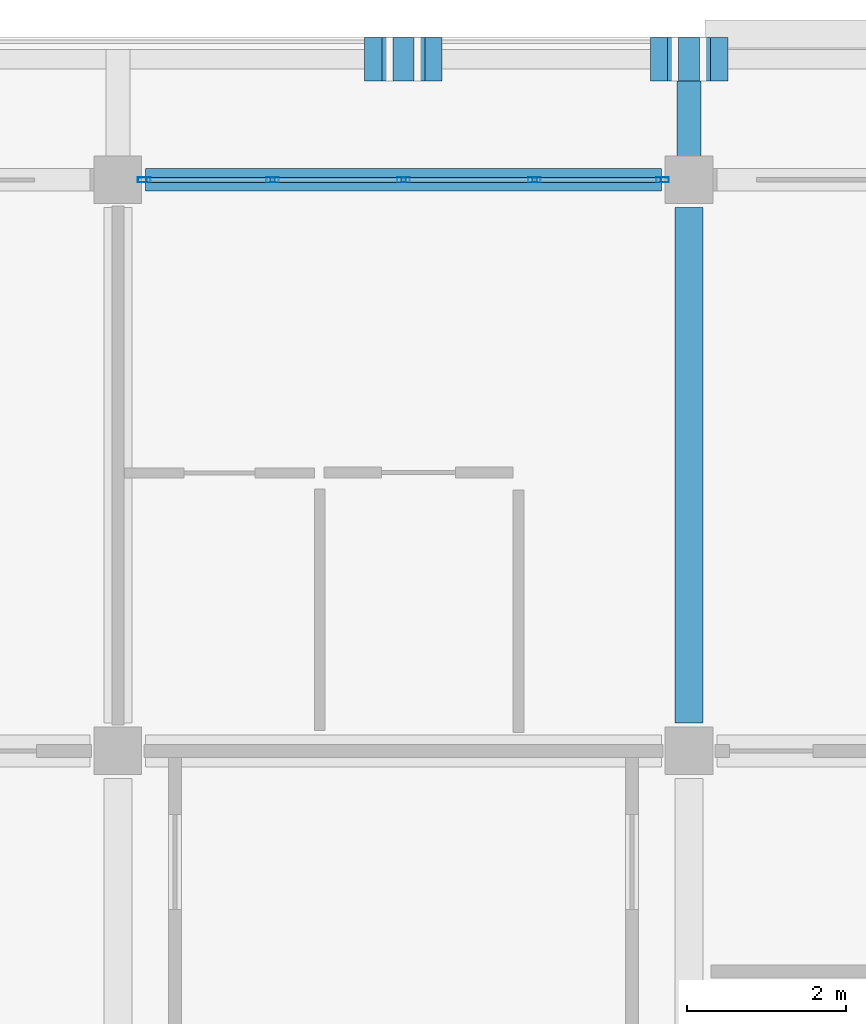
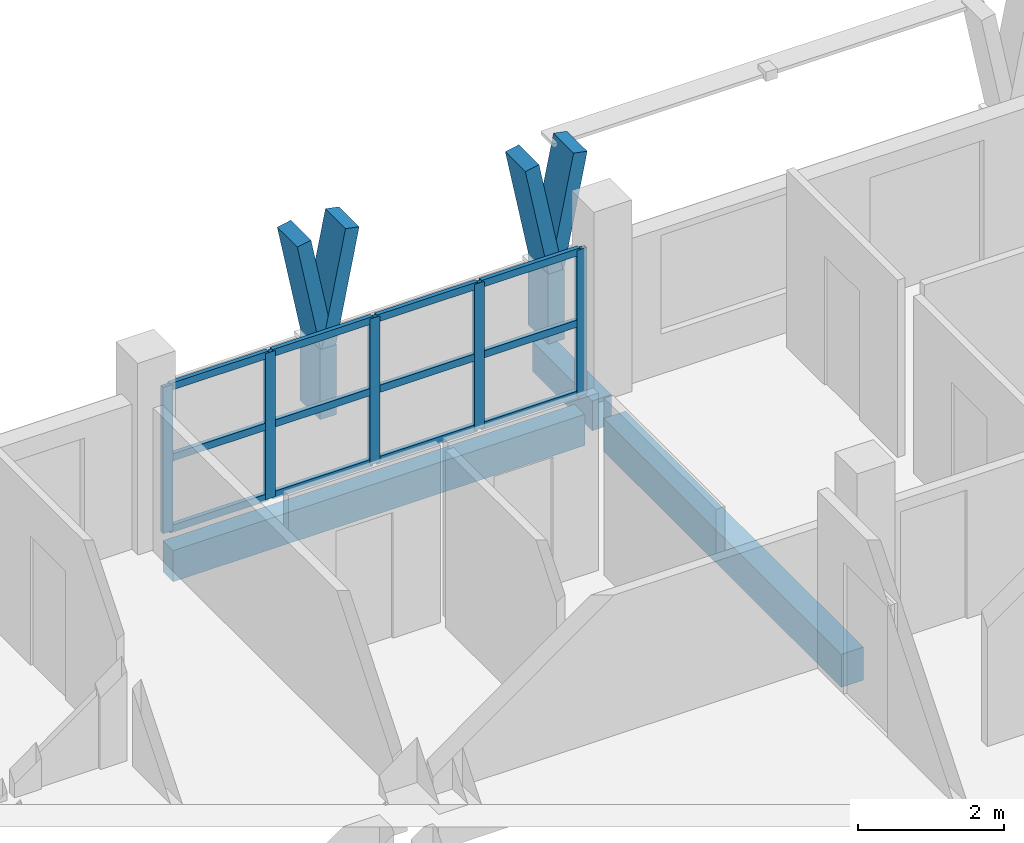
# One storey, part 89 of 157: 23 members, 3 beams, 1 element without a shape of its own.
"""IFC4 building model written with IfcOpenShell, lengths in metres."""

from ifc_helpers import new_model, si_unit, direction, frame, origin, origin_2d, place, context, subcontext, project, spatial, rectangle, hollow_rectangle, extrude, material, material_profile, profile_set, type_object, element, aggregate, save


model = new_model("IFC4")

# Units and contexts
model_context = context("Model", 3, precision=1e-05, world=origin(), true_north=direction((0.0, 1.0)))
body_context = subcontext(model_context, "Body", "Model", "MODEL_VIEW")
ifc_project = project(units=[si_unit("LENGTHUNIT", "METRE"), si_unit("AREAUNIT", "SQUARE_METRE"), si_unit("VOLUMEUNIT", "CUBIC_METRE"), si_unit("PLANEANGLEUNIT", "RADIAN"), si_unit("MASSUNIT", "GRAM", prefix="KILO")], contexts=[model_context])

# Site, building, storey
site_placement = place(None, origin())
site = spatial("IfcSite", under=ifc_project, at=site_placement, CompositionType="ELEMENT")
building_placement = place(site_placement, origin())
building = spatial("IfcBuilding", under=site, at=building_placement, Name="Suanplinth Sawtooth Commons", CompositionType="ELEMENT")
storey_placement = place(building_placement, frame((0.0, 0.0, 9.0)))
storey = spatial("IfcBuildingStorey", under=building, at=storey_placement, Name="L02", CompositionType="ELEMENT", Elevation=9.0)

# Beams
ifc_material_1 = material(Name="Precast concrete C40/50", Category="concrete")
ifc_material_profile_1 = material_profile(ifc_material_1, rectangle(XDim=0.35009765625, YDim=0.550048828125, at=origin_2d()), Name="PC-BM 350x550")
ifc_profile_set_1 = profile_set([ifc_material_profile_1], Name="Precast concrete C40/50")
beam_type_1 = type_object("IfcBeamType", Name="B-06", PredefinedType="BEAM", material=ifc_profile_set_1)
beam_1_placement = place(storey_placement, frame((151.199951171875, 115.550048828125, -0.52490234375), z_axis=(0.0, 1.0, 0.0), x_axis=(-1.0, 0.0, 0.0)))
element("IfcBeam", 1, at=beam_1_placement, inside=storey, type_object=beam_type_1, Name="BMY-L02-B-21-16", PredefinedType="BEAM", context=body_context, shape_type="SweptSolid", body=[
    extrude(rectangle(XDim=0.35009765625, YDim=0.550048828125, at=origin_2d()), origin(), (0.0, 0.0, 1.0), 6.5),
])
ifc_material_profile_2 = material_profile(ifc_material_1, rectangle(XDim=0.300048828125, YDim=0.5, at=origin_2d()), Name="PC-BM 300x500")
ifc_profile_set_2 = profile_set([ifc_material_profile_2], Name="Precast concrete C40/50")
beam_type_2 = type_object("IfcBeamType", Name="B-07", PredefinedType="BEAM", material=ifc_profile_set_2)
beam_2_placement = place(storey_placement, frame((151.199951171875, 122.39990234375, -0.429931640625), z_axis=(0.0, 1.0, 0.0), x_axis=(-1.0, 0.0, 0.0)))
element("IfcBeam", 2, at=beam_2_placement, inside=storey, type_object=beam_type_2, Name="Balcony Outrigger L02-B-N-21", PredefinedType="BEAM", context=body_context, shape_type="SweptSolid", body=[
    extrude(rectangle(XDim=0.300048828125, YDim=0.5, at=origin_2d()), origin(), (0.0, 0.0, 1.0), 1.64013671875),
])
ifc_material_profile_3 = material_profile(ifc_material_1, rectangle(XDim=0.280029296875, YDim=0.52001953125, at=origin_2d()), Name="PC-SP 280x520")
ifc_profile_set_3 = profile_set([ifc_material_profile_3], Name="Precast concrete C40/50")
beam_type_3 = type_object("IfcBeamType", Name="B-08", PredefinedType="SPANDREL", material=ifc_profile_set_3)
beam_3_placement = place(storey_placement, frame((144.35009765625, 122.39990234375, -0.510009765625), z_axis=(1.0, 0.0, 0.0), x_axis=(0.0, 1.0, 0.0)))
element("IfcBeam", 3, at=beam_3_placement, inside=storey, type_object=beam_type_3, Name="BMX-L02-B-20-17", PredefinedType="SPANDREL", context=body_context, shape_type="SweptSolid", body=[
    extrude(rectangle(XDim=0.280029296875, YDim=0.52001953125, at=origin_2d()), origin(), (0.0, 0.0, 1.0), 6.5),
])

# Members
ifc_material_2 = material(Name="Pigmented precast concrete C40/50", Category="concrete")
ifc_material_profile_4 = material_profile(ifc_material_2, rectangle(XDim=0.260009765625, YDim=0.550048828125, at=origin_2d()), Name="PC-FIN 260x550")
ifc_profile_set_4 = profile_set([ifc_material_profile_4], Name="Pigmented precast concrete C40/50")
member_type_1 = type_object("IfcMemberType", Name="M-09", PredefinedType="USERDEFINED", material=ifc_profile_set_4)
for number, where, z_axis, x_axis, name in (
    (4, (147.60009765625, 123.919921875, 0.0), (0.0, 0.0, 1.0), (1.0, 0.0, 0.0), "Y-Blade Stem L02-B-N-02"),
    (5, (151.199951171875, 123.919921875, 0.0), (0.0, 0.0, 1.0), (1.0, 0.0, 0.0), "Y-Blade Stem L02-B-N-03"),
):
    element("IfcMember", number, at=place(storey_placement, frame(where, z_axis=z_axis, x_axis=x_axis)), inside=storey, type_object=member_type_1, Name=name, ObjectType="SHADING FIN", PredefinedType="USERDEFINED", context=body_context, shape_type="SweptSolid", body=[
        extrude(rectangle(XDim=0.260009765625, YDim=0.550048828125, at=origin_2d()), origin(), (0.0, 0.0, 1.0), 1.169921875),
    ])
ifc_material_profile_5 = material_profile(ifc_material_2, rectangle(XDim=0.219970703125, YDim=0.550048828125, at=origin_2d()), Name="PC-FIN 220x550")
ifc_profile_set_5 = profile_set([ifc_material_profile_5], Name="Pigmented precast concrete C40/50")
member_type_2 = type_object("IfcMemberType", Name="M-10", PredefinedType="USERDEFINED", material=ifc_profile_set_5)
member_1_placement = place(storey_placement, frame((147.60009765625, 123.919921875, 1.1298828125), z_axis=(-0.196406855569, 0.0, 0.980522486782), x_axis=(0.980522486782, 0.0, 0.196406855569)))
element("IfcMember", 6, at=member_1_placement, inside=storey, type_object=member_type_2, Name="Y-Blade Arm L L02-B-N-02", ObjectType="SHADING FIN", PredefinedType="USERDEFINED", context=body_context, shape_type="SweptSolid", body=[
    extrude(rectangle(XDim=0.219970703125, YDim=0.550048828125, at=origin_2d()), origin(), (0.0, 0.0, 1.0), 1.93798828125),
])
for number, where, z_axis, x_axis, name in (
    (7, (147.60009765625, 123.919921875, 1.1298828125), (0.196285728346, 0.0, 0.980546741796), (-0.980546741796, 0.0, 0.196285728346), "Y-Blade Arm R L02-B-N-02"),
    (8, (151.199951171875, 123.919921875, 1.1298828125), (-0.196285728346, 0.0, 0.980546741796), (0.980546741796, 0.0, 0.196285728346), "Y-Blade Arm L L02-B-N-03"),
):
    element("IfcMember", number, at=place(storey_placement, frame(where, z_axis=z_axis, x_axis=x_axis)), inside=storey, type_object=member_type_2, Name=name, ObjectType="SHADING FIN", PredefinedType="USERDEFINED", context=body_context, shape_type="SweptSolid", body=[
        extrude(rectangle(XDim=0.219970703125, YDim=0.550048828125, at=origin_2d()), origin(), (0.0, 0.0, 1.0), 1.937744140625),
    ])
member_2_placement = place(storey_placement, frame((151.199951171875, 123.919921875, 1.1298828125), z_axis=(0.196406855569, 0.0, 0.980522486782), x_axis=(-0.980522486782, 0.0, 0.196406855569)))
element("IfcMember", 9, at=member_2_placement, inside=storey, type_object=member_type_2, Name="Y-Blade Arm R L02-B-N-03", ObjectType="SHADING FIN", PredefinedType="USERDEFINED", context=body_context, shape_type="SweptSolid", body=[
    extrude(rectangle(XDim=0.219970703125, YDim=0.550048828125, at=origin_2d()), origin(), (0.0, 0.0, 1.0), 1.93798828125),
])

# Curtain wall, members
ifc_material_3 = material(Name="Anodized aluminium and low-E glazing", Category="aluminium")
curtain_wall_type = type_object("IfcCurtainWallType", Name="CW-06", PredefinedType="USERDEFINED", material=ifc_material_3)
curtain_wall_placement = place(storey_placement, origin())
curtain_wall = element("IfcCurtainWall", 10, at=curtain_wall_placement, inside=storey, type_object=curtain_wall_type, Name="Curtain Wall CW-L02-B-LOUNGE-20", ObjectType="CURTAIN WALL", PredefinedType="USERDEFINED")
ifc_material_4 = material(Name="Anodized aluminium 6063-T6", Category="aluminium")
ifc_material_profile_6 = material_profile(ifc_material_4, hollow_rectangle(XDim=0.06494140625, YDim=0.159912109375, WallThickness=0.00390625, at=origin_2d()), Name="ALU-MUL 65x160")
ifc_profile_set_6 = profile_set([ifc_material_profile_6], Name="Anodized aluminium 6063-T6")
member_type_3 = type_object("IfcMemberType", Name="M-13", PredefinedType="MULLION", material=ifc_profile_set_6)
member_3_placement = place(storey_placement, frame((144.33251953125, 122.39990234375, 0.0), z_axis=(0.0, 0.0, 1.0), x_axis=(0.0, 1.0, 0.0)))
member_3 = element("IfcMember", 11, at=member_3_placement, type_object=member_type_3, Name="CW-06 mullion 1", PredefinedType="MULLION", context=body_context, shape_type="SweptSolid", body=[
    extrude(hollow_rectangle(XDim=0.06494140625, YDim=0.159912109375, WallThickness=0.00390625, at=origin_2d()), origin(), (0.0, 0.0, 1.0), 2.43994140625),
])
member_4_placement = place(storey_placement, frame((145.949951171875, 122.39990234375, 0.0), z_axis=(0.0, 0.0, 1.0), x_axis=(0.0, 1.0, 0.0)))
member_4 = element("IfcMember", 12, at=member_4_placement, type_object=member_type_3, Name="CW-06 mullion 2", PredefinedType="MULLION", context=body_context, shape_type="SweptSolid", body=[
    extrude(hollow_rectangle(XDim=0.06494140625, YDim=0.159912109375, WallThickness=0.00390625, at=origin_2d()), origin(), (0.0, 0.0, 1.0), 2.43994140625),
])
member_5_placement = place(storey_placement, frame((147.60009765625, 122.39990234375, 0.0), z_axis=(0.0, 0.0, 1.0), x_axis=(0.0, 1.0, 0.0)))
member_5 = element("IfcMember", 13, at=member_5_placement, type_object=member_type_3, Name="CW-06 mullion 3", PredefinedType="MULLION", context=body_context, shape_type="SweptSolid", body=[
    extrude(hollow_rectangle(XDim=0.06494140625, YDim=0.159912109375, WallThickness=0.00390625, at=origin_2d()), origin(), (0.0, 0.0, 1.0), 2.43994140625),
])
member_6_placement = place(storey_placement, frame((149.25, 122.39990234375, 0.0), z_axis=(0.0, 0.0, 1.0), x_axis=(0.0, 1.0, 0.0)))
member_6 = element("IfcMember", 14, at=member_6_placement, type_object=member_type_3, Name="CW-06 mullion 4", PredefinedType="MULLION", context=body_context, shape_type="SweptSolid", body=[
    extrude(hollow_rectangle(XDim=0.06494140625, YDim=0.159912109375, WallThickness=0.00390625, at=origin_2d()), origin(), (0.0, 0.0, 1.0), 2.43994140625),
])
member_7_placement = place(storey_placement, frame((150.867431640625, 122.39990234375, 0.0), z_axis=(0.0, 0.0, 1.0), x_axis=(0.0, 1.0, 0.0)))
member_7 = element("IfcMember", 15, at=member_7_placement, type_object=member_type_3, Name="CW-06 mullion 5", PredefinedType="MULLION", context=body_context, shape_type="SweptSolid", body=[
    extrude(hollow_rectangle(XDim=0.06494140625, YDim=0.159912109375, WallThickness=0.00390625, at=origin_2d()), origin(), (0.0, 0.0, 1.0), 2.43994140625),
])
ifc_material_profile_7 = material_profile(ifc_material_4, hollow_rectangle(XDim=0.06494140625, YDim=0.1201171875, WallThickness=0.00390625, at=origin_2d()), Name="ALU-TRN 65x120")
ifc_profile_set_7 = profile_set([ifc_material_profile_7], Name="Anodized aluminium 6063-T6")
member_type_4 = type_object("IfcMemberType", Name="M-15", PredefinedType="USERDEFINED", material=ifc_profile_set_7)
member_8_placement = place(storey_placement, frame((144.364990234375, 122.39990234375, 0.032470703125), z_axis=(1.0, 0.0, 0.0), x_axis=(0.0, 1.0, 0.0)))
member_8 = element("IfcMember", 16, at=member_8_placement, type_object=member_type_4, Name="CW-06 transom 1.1", ObjectType="TRANSOM", PredefinedType="USERDEFINED", context=body_context, shape_type="SweptSolid", body=[
    extrude(hollow_rectangle(XDim=0.06494140625, YDim=0.1201171875, WallThickness=0.00390625, at=origin_2d()), origin(), (0.0, 0.0, 1.0), 1.552490234375),
])
member_9_placement = place(storey_placement, frame((144.364990234375, 122.39990234375, 1.219970703125), z_axis=(1.0, 0.0, 0.0), x_axis=(0.0, 1.0, 0.0)))
member_9 = element("IfcMember", 17, at=member_9_placement, type_object=member_type_4, Name="CW-06 transom 1.2", ObjectType="TRANSOM", PredefinedType="USERDEFINED", context=body_context, shape_type="SweptSolid", body=[
    extrude(hollow_rectangle(XDim=0.06494140625, YDim=0.1201171875, WallThickness=0.00390625, at=origin_2d()), origin(), (0.0, 0.0, 1.0), 1.552490234375),
])
member_10_placement = place(storey_placement, frame((144.364990234375, 122.39990234375, 2.407470703125), z_axis=(1.0, 0.0, 0.0), x_axis=(0.0, 1.0, 0.0)))
member_10 = element("IfcMember", 18, at=member_10_placement, type_object=member_type_4, Name="CW-06 transom 1.3", ObjectType="TRANSOM", PredefinedType="USERDEFINED", context=body_context, shape_type="SweptSolid", body=[
    extrude(hollow_rectangle(XDim=0.06494140625, YDim=0.1201171875, WallThickness=0.00390625, at=origin_2d()), origin(), (0.0, 0.0, 1.0), 1.552490234375),
])
member_11_placement = place(storey_placement, frame((145.982421875, 122.39990234375, 0.032470703125), z_axis=(1.0, 0.0, 0.0), x_axis=(0.0, 1.0, 0.0)))
member_11 = element("IfcMember", 19, at=member_11_placement, type_object=member_type_4, Name="CW-06 transom 2.1", ObjectType="TRANSOM", PredefinedType="USERDEFINED", context=body_context, shape_type="SweptSolid", body=[
    extrude(hollow_rectangle(XDim=0.06494140625, YDim=0.1201171875, WallThickness=0.00390625, at=origin_2d()), origin(), (0.0, 0.0, 1.0), 1.5849609375),
])
member_12_placement = place(storey_placement, frame((145.982421875, 122.39990234375, 1.219970703125), z_axis=(1.0, 0.0, 0.0), x_axis=(0.0, 1.0, 0.0)))
member_12 = element("IfcMember", 20, at=member_12_placement, type_object=member_type_4, Name="CW-06 transom 2.2", ObjectType="TRANSOM", PredefinedType="USERDEFINED", context=body_context, shape_type="SweptSolid", body=[
    extrude(hollow_rectangle(XDim=0.06494140625, YDim=0.1201171875, WallThickness=0.00390625, at=origin_2d()), origin(), (0.0, 0.0, 1.0), 1.5849609375),
])
member_13_placement = place(storey_placement, frame((145.982421875, 122.39990234375, 2.407470703125), z_axis=(1.0, 0.0, 0.0), x_axis=(0.0, 1.0, 0.0)))
member_13 = element("IfcMember", 21, at=member_13_placement, type_object=member_type_4, Name="CW-06 transom 2.3", ObjectType="TRANSOM", PredefinedType="USERDEFINED", context=body_context, shape_type="SweptSolid", body=[
    extrude(hollow_rectangle(XDim=0.06494140625, YDim=0.1201171875, WallThickness=0.00390625, at=origin_2d()), origin(), (0.0, 0.0, 1.0), 1.5849609375),
])
member_14_placement = place(storey_placement, frame((147.632568359375, 122.39990234375, 0.032470703125), z_axis=(1.0, 0.0, 0.0), x_axis=(0.0, 1.0, 0.0)))
member_14 = element("IfcMember", 22, at=member_14_placement, type_object=member_type_4, Name="CW-06 transom 3.1", ObjectType="TRANSOM", PredefinedType="USERDEFINED", context=body_context, shape_type="SweptSolid", body=[
    extrude(hollow_rectangle(XDim=0.06494140625, YDim=0.1201171875, WallThickness=0.00390625, at=origin_2d()), origin(), (0.0, 0.0, 1.0), 1.5849609375),
])
member_15_placement = place(storey_placement, frame((147.632568359375, 122.39990234375, 1.219970703125), z_axis=(1.0, 0.0, 0.0), x_axis=(0.0, 1.0, 0.0)))
member_15 = element("IfcMember", 23, at=member_15_placement, type_object=member_type_4, Name="CW-06 transom 3.2", ObjectType="TRANSOM", PredefinedType="USERDEFINED", context=body_context, shape_type="SweptSolid", body=[
    extrude(hollow_rectangle(XDim=0.06494140625, YDim=0.1201171875, WallThickness=0.00390625, at=origin_2d()), origin(), (0.0, 0.0, 1.0), 1.5849609375),
])
member_16_placement = place(storey_placement, frame((147.632568359375, 122.39990234375, 2.407470703125), z_axis=(1.0, 0.0, 0.0), x_axis=(0.0, 1.0, 0.0)))
member_16 = element("IfcMember", 24, at=member_16_placement, type_object=member_type_4, Name="CW-06 transom 3.3", ObjectType="TRANSOM", PredefinedType="USERDEFINED", context=body_context, shape_type="SweptSolid", body=[
    extrude(hollow_rectangle(XDim=0.06494140625, YDim=0.1201171875, WallThickness=0.00390625, at=origin_2d()), origin(), (0.0, 0.0, 1.0), 1.5849609375),
])
member_17_placement = place(storey_placement, frame((149.282470703125, 122.39990234375, 0.032470703125), z_axis=(1.0, 0.0, 0.0), x_axis=(0.0, 1.0, 0.0)))
member_17 = element("IfcMember", 25, at=member_17_placement, type_object=member_type_4, Name="CW-06 transom 4.1", ObjectType="TRANSOM", PredefinedType="USERDEFINED", context=body_context, shape_type="SweptSolid", body=[
    extrude(hollow_rectangle(XDim=0.06494140625, YDim=0.1201171875, WallThickness=0.00390625, at=origin_2d()), origin(), (0.0, 0.0, 1.0), 1.552490234375),
])
member_18_placement = place(storey_placement, frame((149.282470703125, 122.39990234375, 1.219970703125), z_axis=(1.0, 0.0, 0.0), x_axis=(0.0, 1.0, 0.0)))
member_18 = element("IfcMember", 26, at=member_18_placement, type_object=member_type_4, Name="CW-06 transom 4.2", ObjectType="TRANSOM", PredefinedType="USERDEFINED", context=body_context, shape_type="SweptSolid", body=[
    extrude(hollow_rectangle(XDim=0.06494140625, YDim=0.1201171875, WallThickness=0.00390625, at=origin_2d()), origin(), (0.0, 0.0, 1.0), 1.552490234375),
])
member_19_placement = place(storey_placement, frame((149.282470703125, 122.39990234375, 2.407470703125), z_axis=(1.0, 0.0, 0.0), x_axis=(0.0, 1.0, 0.0)))
member_19 = element("IfcMember", 27, at=member_19_placement, type_object=member_type_4, Name="CW-06 transom 4.3", ObjectType="TRANSOM", PredefinedType="USERDEFINED", context=body_context, shape_type="SweptSolid", body=[
    extrude(hollow_rectangle(XDim=0.06494140625, YDim=0.1201171875, WallThickness=0.00390625, at=origin_2d()), origin(), (0.0, 0.0, 1.0), 1.552490234375),
])
aggregate(curtain_wall, [member_3, member_4, member_5, member_6, member_7, member_8, member_9, member_10, member_11, member_12, member_13, member_14, member_15, member_16, member_17, member_18, member_19])

save(model, "model.ifc")
